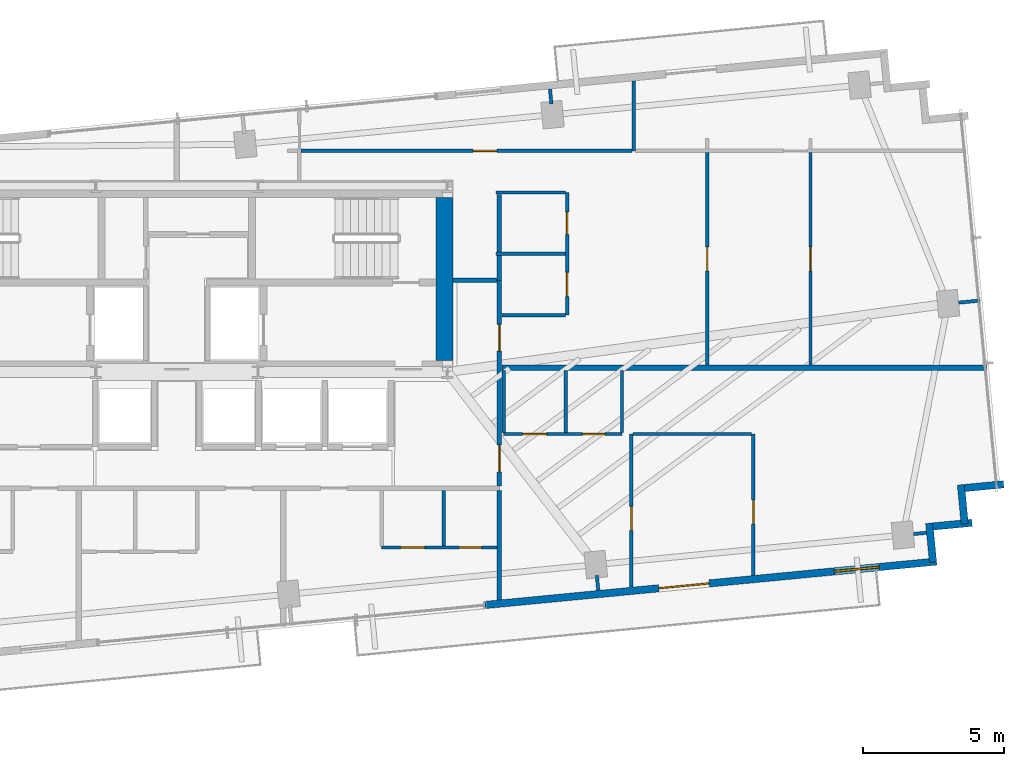
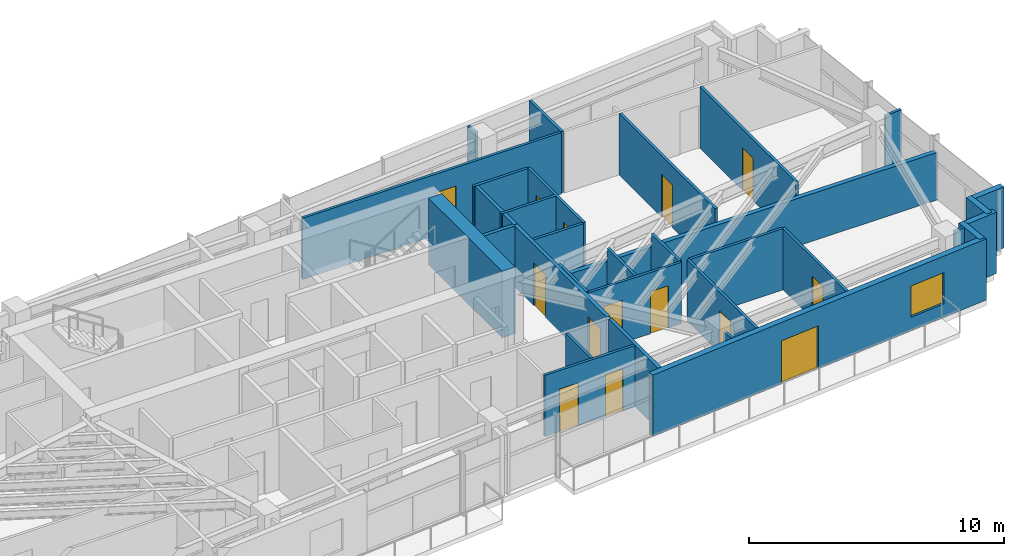
# One storey, part 15 of 18: 33 walls, 14 doors, 1 window, 15 openings.
"""IFC4 building model written with IfcOpenShell, lengths in metres."""

from ifc_helpers import new_model, si_unit, direction, frame, frame_2d, origin, place, context, subcontext, project, spatial, rectangle, extrude, source, transform, mapped, material, layer, layer_set, type_object, type_shapes, element, fill, save


model = new_model("IFC4")

# Units and contexts
model_context = context("Model", 3, precision=1e-05, world=origin(), true_north=direction((0.0, 1.0)))
body_context = subcontext(model_context, "Body", "Model", "MODEL_VIEW")
ifc_project = project(units=[si_unit("LENGTHUNIT", "METRE"), si_unit("AREAUNIT", "SQUARE_METRE"), si_unit("VOLUMEUNIT", "CUBIC_METRE"), si_unit("PLANEANGLEUNIT", "RADIAN"), si_unit("MASSUNIT", "GRAM", prefix="KILO")], contexts=[model_context])

# Site, building, storey
site_placement = place(None, origin())
site = spatial("IfcSite", under=ifc_project, at=site_placement, CompositionType="ELEMENT")
building_placement = place(site_placement, origin())
building = spatial("IfcBuilding", under=site, at=building_placement, Name="Astriad Promenade Condominiums", CompositionType="ELEMENT")
storey_placement = place(building_placement, frame((0.0, 0.0, 185.800048828125)))
storey = spatial("IfcBuildingStorey", under=building, at=storey_placement, Name="L53", CompositionType="ELEMENT", Elevation=185.800048828125)

# Walls
ifc_material_1 = material(Name="Concrete C50/60", Category="concrete")
ifc_layer_1 = layer(ifc_material_1, 0.60009765625)
ifc_layer_set_1 = layer_set([ifc_layer_1], Name="Concrete C50/60")
wall_type_1 = type_object("IfcWallType", Name="CW-SHEAR-600", PredefinedType="SHEAR", material=ifc_layer_set_1)
wall_1_placement = place(storey_placement, frame((45.5, 17.802001953125, 0.0), z_axis=(0.0, 0.0, 1.0), x_axis=(0.0, 1.0, 0.0)))
element("IfcWall", 1, at=wall_1_placement, inside=storey, type_object=wall_type_1, Name="CW-CORE-E-L53", PredefinedType="SHEAR", context=body_context, shape_type="SweptSolid", body=[
    extrude(rectangle(XDim=5.7958984375, YDim=0.60009765625, at=frame_2d((2.89794921875, 0.0))), origin(), (0.0, 0.0, 1.0), 3.199951171875),
])
ifc_material_2 = material(Name="Fire-Rated Gypsum Partition")
ifc_layer_2 = layer(ifc_material_2, 0.159912109375)
ifc_layer_set_2 = layer_set([ifc_layer_2], Name="Fire-Rated Gypsum Partition")
wall_type_2 = type_object("IfcWallType", Name="WALL-CORR-160", PredefinedType="PARTITIONING", material=ifc_layer_set_2)
wall_2_placement = place(storey_placement, frame((47.449951171875, 9.315185546875, 0.0), z_axis=(0.0, 0.0, 1.0), x_axis=(0.0, 1.0, 0.0)))
element("IfcWall", 2, at=wall_2_placement, inside=storey, type_object=wall_type_2, Name="PT-COR-E-L53", PredefinedType="PARTITIONING", context=body_context, shape_type="SweptSolid", body=[
    extrude(rectangle(XDim=3.8828125, YDim=0.159912109375, at=frame_2d((1.94140625, 0.0))), origin(), (0.0, 0.0, 1.0), 2.93994140625),
])

# Wall, openings, doors
wall_3_placement = place(storey_placement, frame((47.449951171875, 13.362060546875, 0.0), z_axis=(0.0, 0.0, 1.0), x_axis=(0.0, 1.0, 0.0)))
wall_3 = element("IfcWall", 3, at=wall_3_placement, inside=storey, type_object=wall_type_2, Name="PT-COR-E-L53-S2", PredefinedType="PARTITIONING", context=body_context, shape_type="SweptSolid", body=[
    extrude(rectangle(XDim=7.287841796875, YDim=0.159912109375, at=frame_2d((3.64404296875, 0.0))), origin(), (0.0, 0.0, 1.0), 2.93994140625),
])
opening_1_placement = place(wall_3_placement, frame((0.492919921875, 0.0, 0.0)))
opening_1 = element("IfcOpeningElement", 4, at=opening_1_placement, cuts=wall_3, Name="Opening FD60-APT-095", PredefinedType="OPENING", context=body_context, shape_type="SweptSolid", body=[
    extrude(rectangle(XDim=0.949951171875, YDim=2.06005859375, at=frame_2d((0.47509765625, 1.030029296875))), frame((0.0, 0.08984375, 0.0), z_axis=(0.0, -1.0, 0.0), x_axis=(1.0, 0.0, 0.0)), (0.0, 0.0, 1.0), 0.179931640625),
])
opening_2_placement = place(wall_3_placement, frame((4.782958984375, 0.0, 0.0)))
opening_2 = element("IfcOpeningElement", 5, at=opening_2_placement, cuts=wall_3, Name="Opening FD60-APT-095", PredefinedType="OPENING", context=body_context, shape_type="SweptSolid", body=[
    extrude(rectangle(XDim=0.949951171875, YDim=2.06005859375, at=frame_2d((0.47509765625, 1.030029296875))), frame((0.0, 0.08984375, 0.0), z_axis=(0.0, -1.0, 0.0), x_axis=(1.0, 0.0, 0.0)), (0.0, 0.0, 1.0), 0.179931640625),
])
ifc_material_3 = material(Name="Solid-Core Acoustic Timber Residence Entry Door", Category="wood")
door_type_1 = type_object("IfcDoorType", Name="FD60-APT-095", OperationType="NOTDEFINED", PredefinedType="DOOR", material=ifc_material_3)
shared_shape_1 = source(origin(), body_context, "Body", "SweptSolid", [
    extrude(rectangle(XDim=0.949951171875, YDim=2.06005859375, at=frame_2d((0.47509765625, 1.030029296875))), frame((0.0, 0.02490234375, 0.0), z_axis=(0.0, -1.0, 0.0), x_axis=(1.0, 0.0, 0.0)), (0.0, 0.0, 1.0), 0.050048828125),
])
type_shapes(door_type_1, [shared_shape_1])
door_1_placement = place(opening_1_placement, origin())
door_1 = element("IfcDoor", 6, at=door_1_placement, inside=storey, type_object=door_type_1, Name="D-ENT-L53-E1", OperationType="SINGLE_SWING_RIGHT", OverallHeight=2.06005859375, OverallWidth=0.949951171875, PredefinedType="DOOR", context=body_context, shape_type="MappedRepresentation", body=[
    mapped(shared_shape_1, transform((0.0, 0.0, 0.0), scale=1.0)),
])
fill(opening_1, door_1)
door_2_placement = place(opening_2_placement, origin())
door_2 = element("IfcDoor", 7, at=door_2_placement, inside=storey, type_object=door_type_1, Name="D-ENT-L53-E2", OperationType="SINGLE_SWING_LEFT", OverallHeight=2.06005859375, OverallWidth=0.949951171875, PredefinedType="DOOR", context=body_context, shape_type="MappedRepresentation", body=[
    mapped(shared_shape_1, transform((0.0, 0.0, 0.0), scale=1.0)),
])
fill(opening_2, door_2)

# Walls
wall_4_placement = place(storey_placement, frame((45.802001953125, 20.64990234375, 0.0), z_axis=(0.0, 0.0, 1.0), x_axis=(1.0, 0.0, 0.0)))
element("IfcWall", 8, at=wall_4_placement, inside=storey, type_object=wall_type_2, Name="PT-Z3E-N-L53", PredefinedType="PARTITIONING", context=body_context, shape_type="SweptSolid", body=[
    extrude(rectangle(XDim=1.56591796875, YDim=0.159912109375, at=frame_2d((0.782958984375, 0.0))), origin(), (0.0, 0.0, 1.0), 2.93994140625),
])
wall_5_placement = place(storey_placement, frame((47.449951171875, 20.64990234375, 0.0), z_axis=(0.0, 0.0, 1.0), x_axis=(0.0, 1.0, 0.0)))
element("IfcWall", 9, at=wall_5_placement, inside=storey, type_object=wall_type_2, Name="PT-L53-E2-PBK", PredefinedType="PARTITIONING", context=body_context, shape_type="SweptSolid", body=[
    extrude(rectangle(XDim=0.883056640625, YDim=0.159912109375, at=frame_2d((0.44140625, 0.0))), origin(), (0.0, 0.0, 1.0), 2.93994140625),
])
wall_6_placement = place(storey_placement, frame((47.449951171875, 21.656982421875, 0.0), z_axis=(0.0, 0.0, 1.0), x_axis=(0.0, 1.0, 0.0)))
element("IfcWall", 10, at=wall_6_placement, inside=storey, type_object=wall_type_2, Name="PT-L53-E2-PBK-S2", PredefinedType="PARTITIONING", context=body_context, shape_type="SweptSolid", body=[
    extrude(rectangle(XDim=2.051025390625, YDim=0.159912109375, at=frame_2d((1.025390625, 0.0))), origin(), (0.0, 0.0, 1.0), 2.93994140625),
])
ifc_material_4 = material(Name="Acoustic Double-Stud Gypsum Partition")
ifc_layer_3 = layer(ifc_material_4, 0.199951171875)
ifc_layer_set_3 = layer_set([ifc_layer_3], Name="Acoustic Double-Stud Gypsum Partition")
wall_type_3 = type_object("IfcWallType", Name="WALL-DEMISING-200", PredefinedType="PARTITIONING", material=ifc_layer_set_3)
wall_7_placement = place(storey_placement, frame((47.531982421875, 17.550048828125, 0.0), z_axis=(0.0, 0.0, 1.0), x_axis=(1.0, 0.0, 0.0)))
element("IfcWall", 11, at=wall_7_placement, inside=storey, type_object=wall_type_3, Name="PT-DEM-EE-L53", PredefinedType="PARTITIONING", context=body_context, shape_type="SweptSolid", body=[
    extrude(rectangle(XDim=17.200927734375, YDim=0.199951171875, at=frame_2d((8.6005859375, 0.0))), origin(), (0.0, 0.0, 1.0), 2.28125),
])
ifc_material_5 = material(Name="Precast concrete C50/60", Category="concrete")
ifc_layer_4 = layer(ifc_material_5, 0.260009765625)
ifc_layer_set_4 = layer_set([ifc_layer_4], Name="Precast concrete C50/60")
wall_type_4 = type_object("IfcWallType", Name="WALL-EXT-TWR-260", PredefinedType="STANDARD", material=ifc_layer_set_4)
wall_8_placement = place(storey_placement, frame((65.341796875, 13.416748046875, 0.0), z_axis=(0.0, 0.0, 1.0), x_axis=(-0.99540774648, -0.095725744959, 0.0)))
element("IfcWall", 12, at=wall_8_placement, inside=storey, type_object=wall_type_4, Name="W-SER-L53-14", PredefinedType="STANDARD", context=body_context, shape_type="SweptSolid", body=[
    extrude(rectangle(XDim=1.39501953125, YDim=0.260009765625, at=frame_2d((0.697509765625, 0.0))), origin(), (0.0, 0.0, 1.0), 2.93994140625),
])
wall_9_placement = place(storey_placement, frame((63.826171875, 13.4013671875, 0.0), z_axis=(0.0, 0.0, 1.0), x_axis=(0.095915846097, -0.995389446633, 0.0)))
element("IfcWall", 13, at=wall_9_placement, inside=storey, type_object=wall_type_4, Name="W-SER-L53-15", PredefinedType="STANDARD", context=body_context, shape_type="SweptSolid", body=[
    extrude(rectangle(XDim=1.394775390625, YDim=0.260009765625, at=frame_2d((0.697265625, 0.0))), origin(), (0.0, 0.0, 1.0), 2.93994140625),
])
for number, where, z_axis, x_axis, name in (
    (14, (64.21728515625, 12.052734375, 0.0), (0.0, 0.0, 1.0), (-0.99540774648, -0.095725744959, 0.0), "W-SER-L53-16"),
    (15, (62.701904296875, 12.037353515625, 0.0), (0.0, 0.0, 1.0), (0.095725744959, -0.99540774648, 0.0), "W-SER-L53-17"),
):
    element("IfcWall", number, at=place(storey_placement, frame(where, z_axis=z_axis, x_axis=x_axis)), inside=storey, type_object=wall_type_4, Name=name, PredefinedType="STANDARD", context=body_context, shape_type="SweptSolid", body=[
        extrude(rectangle(XDim=1.39501953125, YDim=0.260009765625, at=frame_2d((0.697509765625, 0.0))), origin(), (0.0, 0.0, 1.0), 2.93994140625),
    ])

# Wall, openings, door, window
wall_10_placement = place(storey_placement, frame((62.96337890625, 10.67626953125, 0.0), z_axis=(0.0, 0.0, 1.0), x_axis=(-0.995395627913, -0.095851676732, 0.0)))
wall_10 = element("IfcWall", 16, at=wall_10_placement, inside=storey, type_object=wall_type_4, Name="W-EXT-L53-S1", PredefinedType="STANDARD", context=body_context, shape_type="SweptSolid", body=[
    extrude(rectangle(XDim=16.10009765625, YDim=0.260009765625, at=frame_2d((8.050048828125, 0.0))), origin(), (0.0, 0.0, 1.0), 2.93994140625),
])
opening_3_placement = place(wall_10_placement, frame((8.10107421875, 0.0, 0.0)))
opening_3 = element("IfcOpeningElement", 17, at=opening_3_placement, cuts=wall_10, Name="Opening BD-1822-SLD", PredefinedType="OPENING", context=body_context, shape_type="SweptSolid", body=[
    extrude(rectangle(XDim=1.800048828125, YDim=2.06005859375, at=frame_2d((0.89990234375, 1.030029296875))), frame((0.0, 0.139892578125, 0.0), z_axis=(0.0, -1.0, 0.0), x_axis=(1.0, 0.0, 0.0)), (0.0, 0.0, 1.0), 0.280029296875),
])
opening_4_placement = place(wall_10_placement, frame((2.050048828125, 0.0, 0.64990234375)))
opening_4 = element("IfcOpeningElement", 18, at=opening_4_placement, cuts=wall_10, Name="Opening WIN-TWR-1620", PredefinedType="OPENING", context=body_context, shape_type="SweptSolid", body=[
    extrude(rectangle(XDim=1.60009765625, YDim=1.5, at=frame_2d((0.800048828125, 0.75))), frame((0.0, 0.139892578125, 0.0), z_axis=(0.0, -1.0, 0.0), x_axis=(1.0, 0.0, 0.0)), (0.0, 0.0, 1.0), 0.280029296875),
])
ifc_material_6 = material(Name="Thermally Broken Aluminium Sliding Balcony Door", Category="aluminium")
door_type_2 = type_object("IfcDoorType", Name="BD-1822-SLD", OperationType="NOTDEFINED", PredefinedType="DOOR", material=ifc_material_6)
shared_shape_2 = source(origin(), body_context, "Body", "SweptSolid", [
    extrude(rectangle(XDim=1.800048828125, YDim=2.06005859375, at=frame_2d((0.89990234375, 1.030029296875))), frame((0.0, 0.02490234375, 0.0), z_axis=(0.0, -1.0, 0.0), x_axis=(1.0, 0.0, 0.0)), (0.0, 0.0, 1.0), 0.050048828125),
])
type_shapes(door_type_2, [shared_shape_2])
door_3_placement = place(opening_3_placement, origin())
door_3 = element("IfcDoor", 19, at=door_3_placement, inside=storey, type_object=door_type_2, Name="BD-L53-SE", OperationType="SLIDING_TO_RIGHT", OverallHeight=2.06005859375, OverallWidth=1.800048828125, PredefinedType="DOOR", context=body_context, shape_type="MappedRepresentation", body=[
    mapped(shared_shape_2, transform((0.0, 0.0, 0.0), scale=1.0)),
])
fill(opening_3, door_3)
ifc_material_7 = material(Name="Dark Tinted Triple-Glazed Aluminium Window", Category="aluminium")
window_type = type_object("IfcWindowType", Name="WIN-TWR-1620", PartitioningType="SINGLE_PANEL", PredefinedType="WINDOW", material=ifc_material_7)
shared_shape_3 = source(origin(), body_context, "Body", "SweptSolid", [
    extrude(rectangle(XDim=1.60009765625, YDim=1.5, at=frame_2d((0.800048828125, 0.75))), frame((0.0, 0.030029296875, 0.0), z_axis=(0.0, -1.0, 0.0), x_axis=(1.0, 0.0, 0.0)), (0.0, 0.0, 1.0), 0.06005859375),
])
type_shapes(window_type, [shared_shape_3])
window_placement = place(opening_4_placement, origin())
window = element("IfcWindow", 20, at=window_placement, inside=storey, type_object=window_type, Name="WIN-L53-SE", OverallHeight=1.5, OverallWidth=1.60009765625, PartitioningType="SINGLE_PANEL", PredefinedType="WINDOW", context=body_context, shape_type="MappedRepresentation", body=[
    mapped(shared_shape_3, transform((0.0, 0.0, 0.0), scale=1.0)),
])
fill(opening_4, window)

# Wall, openings, doors
ifc_material_8 = material(Name="Acoustic Metal-Stud Gypsum Partition")
ifc_layer_5 = layer(ifc_material_8, 0.1201171875)
ifc_layer_set_5 = layer_set([ifc_layer_5], Name="Acoustic Metal-Stud Gypsum Partition")
wall_type_5 = type_object("IfcWallType", Name="WALL-PART-120", PredefinedType="PARTITIONING", material=ifc_layer_set_5)
wall_11_placement = place(storey_placement, frame((43.27001953125, 11.172119140625, 0.0), z_axis=(0.0, 0.0, 1.0), x_axis=(1.0, 0.0, 0.0)))
wall_11 = element("IfcWall", 21, at=wall_11_placement, inside=storey, type_object=wall_type_5, Name="PT-L53-S3-PS", PredefinedType="PARTITIONING", context=body_context, shape_type="SweptSolid", body=[
    extrude(rectangle(XDim=4.097900390625, YDim=0.1201171875, at=frame_2d((2.048828125, 0.0))), origin(), (0.0, 0.0, 1.0), 2.93994140625),
])
opening_5_placement = place(wall_11_placement, frame((0.675048828125, 0.0, 0.0)))
opening_5 = element("IfcOpeningElement", 22, at=opening_5_placement, cuts=wall_11, Name="Opening D-INT-085", PredefinedType="OPENING", context=body_context, shape_type="SweptSolid", body=[
    extrude(rectangle(XDim=0.85009765625, YDim=2.050048828125, at=frame_2d((0.425048828125, 1.02490234375))), frame((0.0, 0.070068359375, 0.0), z_axis=(0.0, -1.0, 0.0), x_axis=(1.0, 0.0, 0.0)), (0.0, 0.0, 1.0), 0.14013671875),
])
opening_6_placement = place(wall_11_placement, frame((2.75, 0.0, 0.0)))
opening_6 = element("IfcOpeningElement", 23, at=opening_6_placement, cuts=wall_11, Name="Opening D-WET-080", PredefinedType="OPENING", context=body_context, shape_type="SweptSolid", body=[
    extrude(rectangle(XDim=0.800048828125, YDim=2.02001953125, at=frame_2d((0.39990234375, 1.010009765625))), frame((0.0, 0.070068359375, 0.0), z_axis=(0.0, -1.0, 0.0), x_axis=(1.0, 0.0, 0.0)), (0.0, 0.0, 1.0), 0.14013671875),
])
ifc_material_9 = material(Name="Moisture-Resistant Timber Bathroom Door", Category="wood")
door_type_3 = type_object("IfcDoorType", Name="D-WET-080", OperationType="NOTDEFINED", PredefinedType="DOOR", material=ifc_material_9)
shared_shape_4 = source(origin(), body_context, "Body", "SweptSolid", [
    extrude(rectangle(XDim=0.800048828125, YDim=2.02001953125, at=frame_2d((0.39990234375, 1.010009765625))), frame((0.0, 0.02490234375, 0.0), z_axis=(0.0, -1.0, 0.0), x_axis=(1.0, 0.0, 0.0)), (0.0, 0.0, 1.0), 0.050048828125),
])
type_shapes(door_type_3, [shared_shape_4])
door_4_placement = place(opening_6_placement, origin())
door_4 = element("IfcDoor", 24, at=door_4_placement, inside=storey, type_object=door_type_3, Name="D-BTH-L53-S3", OperationType="SINGLE_SWING_LEFT", OverallHeight=2.02001953125, OverallWidth=0.800048828125, PredefinedType="DOOR", context=body_context, shape_type="MappedRepresentation", body=[
    mapped(shared_shape_4, transform((0.0, 0.0, 0.0), scale=1.0)),
])
fill(opening_6, door_4)
ifc_material_10 = material(Name="Painted Solid-Core Timber Room Door", Category="wood")
door_type_4 = type_object("IfcDoorType", Name="D-INT-085", OperationType="NOTDEFINED", PredefinedType="DOOR", material=ifc_material_10)
shared_shape_5 = source(origin(), body_context, "Body", "SweptSolid", [
    extrude(rectangle(XDim=0.85009765625, YDim=2.050048828125, at=frame_2d((0.425048828125, 1.02490234375))), frame((0.0, 0.02490234375, 0.0), z_axis=(0.0, -1.0, 0.0), x_axis=(1.0, 0.0, 0.0)), (0.0, 0.0, 1.0), 0.050048828125),
])
type_shapes(door_type_4, [shared_shape_5])
door_5_placement = place(opening_5_placement, origin())
door_5 = element("IfcDoor", 25, at=door_5_placement, inside=storey, type_object=door_type_4, Name="D-KIT-L53-S3", OperationType="SINGLE_SWING_RIGHT", OverallHeight=2.050048828125, OverallWidth=0.85009765625, PredefinedType="DOOR", context=body_context, shape_type="MappedRepresentation", body=[
    mapped(shared_shape_5, transform((0.0, 0.0, 0.0), scale=1.0)),
])
fill(opening_5, door_5)

# Wall
wall_12_placement = place(storey_placement, frame((45.469970703125, 11.23388671875, 0.0), z_axis=(0.0, 0.0, 1.0), x_axis=(0.0, 1.0, 0.0)))
element("IfcWall", 26, at=wall_12_placement, inside=storey, type_object=wall_type_5, Name="PT-L53-S3-PB", PredefinedType="PARTITIONING", context=body_context, shape_type="SweptSolid", body=[
    extrude(rectangle(XDim=1.964111328125, YDim=0.1201171875, at=frame_2d((0.98193359375, 0.0))), origin(), (0.0, 0.0, 1.0), 2.93994140625),
])

# Wall, openings, doors
wall_13_placement = place(storey_placement, frame((47.60009765625, 15.199951171875, 0.0), z_axis=(0.0, 0.0, 1.0), x_axis=(1.0, 0.0, 0.0)))
wall_13 = element("IfcWall", 27, at=wall_13_placement, inside=storey, type_object=wall_type_5, Name="PT-L53-E1-PH", PredefinedType="PARTITIONING", context=body_context, shape_type="SweptSolid", body=[
    extrude(rectangle(XDim=4.199951171875, YDim=0.1201171875, at=frame_2d((2.10009765625, 0.0))), origin(), (0.0, 0.0, 1.0), 2.93994140625),
])
opening_7_placement = place(wall_13_placement, frame((0.675048828125, 0.0, 0.0)))
opening_7 = element("IfcOpeningElement", 28, at=opening_7_placement, cuts=wall_13, Name="Opening D-INT-085", PredefinedType="OPENING", context=body_context, shape_type="SweptSolid", body=[
    extrude(rectangle(XDim=0.85009765625, YDim=2.050048828125, at=frame_2d((0.425048828125, 1.02490234375))), frame((0.0, 0.070068359375, 0.0), z_axis=(0.0, -1.0, 0.0), x_axis=(1.0, 0.0, 0.0)), (0.0, 0.0, 1.0), 0.14013671875),
])
opening_8_placement = place(wall_13_placement, frame((2.800048828125, 0.0, 0.0)))
opening_8 = element("IfcOpeningElement", 29, at=opening_8_placement, cuts=wall_13, Name="Opening D-WET-080", PredefinedType="OPENING", context=body_context, shape_type="SweptSolid", body=[
    extrude(rectangle(XDim=0.800048828125, YDim=2.02001953125, at=frame_2d((0.39990234375, 1.010009765625))), frame((0.0, 0.070068359375, 0.0), z_axis=(0.0, -1.0, 0.0), x_axis=(1.0, 0.0, 0.0)), (0.0, 0.0, 1.0), 0.14013671875),
])
door_6_placement = place(opening_8_placement, origin())
door_6 = element("IfcDoor", 30, at=door_6_placement, inside=storey, type_object=door_type_3, Name="D-BTH-L53-E1", OperationType="SINGLE_SWING_RIGHT", OverallHeight=2.02001953125, OverallWidth=0.800048828125, PredefinedType="DOOR", context=body_context, shape_type="MappedRepresentation", body=[
    mapped(shared_shape_4, transform((0.0, 0.0, 0.0), scale=1.0)),
])
fill(opening_8, door_6)
door_7_placement = place(opening_7_placement, origin())
door_7 = element("IfcDoor", 31, at=door_7_placement, inside=storey, type_object=door_type_4, Name="D-KIT-L53-E1", OperationType="SINGLE_SWING_LEFT", OverallHeight=2.050048828125, OverallWidth=0.85009765625, PredefinedType="DOOR", context=body_context, shape_type="MappedRepresentation", body=[
    mapped(shared_shape_5, transform((0.0, 0.0, 0.0), scale=1.0)),
])
fill(opening_7, door_7)

# Walls
for number, where, z_axis, x_axis, name in (
    (32, (47.60009765625, 15.261962890625, 0.0), (0.0, 0.0, 1.0), (0.0, 1.0, 0.0), "PT-L53-E1-PK1"),
    (33, (49.800048828125, 15.261962890625, 0.0), (0.0, 0.0, 1.0), (0.0, 1.0, 0.0), "PT-L53-E1-PK2"),
    (34, (51.800048828125, 15.261962890625, 0.0), (0.0, 0.0, 1.0), (0.0, 1.0, 0.0), "PT-L53-E1-PK3"),
):
    element("IfcWall", number, at=place(storey_placement, frame(where, z_axis=z_axis, x_axis=x_axis)), inside=storey, type_object=wall_type_5, Name=name, PredefinedType="PARTITIONING", context=body_context, shape_type="SweptSolid", body=[
        extrude(rectangle(XDim=2.18603515625, YDim=0.1201171875, at=frame_2d((1.093017578125, 0.0))), origin(), (0.0, 0.0, 1.0), 2.93994140625),
    ])

# Wall, opening, door
wall_14_placement = place(storey_placement, frame((52.1298828125, 9.765625, 0.0), z_axis=(0.0, 0.0, 1.0), x_axis=(0.0, 1.0, 0.0)))
wall_14 = element("IfcWall", 35, at=wall_14_placement, inside=storey, type_object=wall_type_5, Name="PT-L53-E1-CAP1", PredefinedType="PARTITIONING", context=body_context, shape_type="SweptSolid", body=[
    extrude(rectangle(XDim=5.434326171875, YDim=0.1201171875, at=frame_2d((2.71728515625, 0.0))), origin(), (0.0, 0.0, 1.0), 2.93994140625),
])
opening_9_placement = place(wall_14_placement, frame((2.019287109375, 0.0, 0.0)))
opening_9 = element("IfcOpeningElement", 36, at=opening_9_placement, cuts=wall_14, Name="Opening D-INT-085", PredefinedType="OPENING", context=body_context, shape_type="SweptSolid", body=[
    extrude(rectangle(XDim=0.85009765625, YDim=2.050048828125, at=frame_2d((0.425048828125, 1.02490234375))), frame((0.0, 0.070068359375, 0.0), z_axis=(0.0, -1.0, 0.0), x_axis=(1.0, 0.0, 0.0)), (0.0, 0.0, 1.0), 0.14013671875),
])
door_8_placement = place(opening_9_placement, origin())
door_8 = element("IfcDoor", 37, at=door_8_placement, inside=storey, type_object=door_type_4, Name="D-CAP1-L53-E1", OperationType="SINGLE_SWING_LEFT", OverallHeight=2.050048828125, OverallWidth=0.85009765625, PredefinedType="DOOR", context=body_context, shape_type="MappedRepresentation", body=[
    mapped(shared_shape_5, transform((0.0, 0.0, 0.0), scale=1.0)),
])
fill(opening_9, door_8)

wall_15_placement = place(storey_placement, frame((56.4599609375, 10.1826171875, 0.0), z_axis=(0.0, 0.0, 1.0), x_axis=(0.0, 1.0, 0.0)))
wall_15 = element("IfcWall", 38, at=wall_15_placement, inside=storey, type_object=wall_type_5, Name="PT-L53-E1-CAP2", PredefinedType="PARTITIONING", context=body_context, shape_type="SweptSolid", body=[
    extrude(rectangle(XDim=5.017333984375, YDim=0.1201171875, at=frame_2d((2.5087890625, 0.0))), origin(), (0.0, 0.0, 1.0), 2.93994140625),
])
opening_10_placement = place(wall_15_placement, frame((1.826416015625, 0.0, 0.0)))
opening_10 = element("IfcOpeningElement", 39, at=opening_10_placement, cuts=wall_15, Name="Opening D-INT-085", PredefinedType="OPENING", context=body_context, shape_type="SweptSolid", body=[
    extrude(rectangle(XDim=0.85009765625, YDim=2.050048828125, at=frame_2d((0.425048828125, 1.02490234375))), frame((0.0, 0.070068359375, 0.0), z_axis=(0.0, -1.0, 0.0), x_axis=(1.0, 0.0, 0.0)), (0.0, 0.0, 1.0), 0.14013671875),
])
door_9_placement = place(opening_10_placement, origin())
door_9 = element("IfcDoor", 40, at=door_9_placement, inside=storey, type_object=door_type_4, Name="D-CAP2-L53-E1", OperationType="SINGLE_SWING_RIGHT", OverallHeight=2.050048828125, OverallWidth=0.85009765625, PredefinedType="DOOR", context=body_context, shape_type="MappedRepresentation", body=[
    mapped(shared_shape_5, transform((0.0, 0.0, 0.0), scale=1.0)),
])
fill(opening_10, door_9)

# Wall
wall_16_placement = place(storey_placement, frame((52.19189453125, 15.199951171875, 0.0), z_axis=(0.0, 0.0, 1.0), x_axis=(1.0, 0.0, 0.0)))
element("IfcWall", 41, at=wall_16_placement, inside=storey, type_object=wall_type_5, Name="PT-L53-E1-CAP2H", PredefinedType="PARTITIONING", context=body_context, shape_type="SweptSolid", body=[
    extrude(rectangle(XDim=4.2060546875, YDim=0.1201171875, at=frame_2d((2.10302734375, 0.0))), origin(), (0.0, 0.0, 1.0), 2.93994140625),
])

# Wall, openings, doors
wall_17_placement = place(storey_placement, frame((49.85009765625, 19.419921875, 0.0), z_axis=(0.0, 0.0, 1.0), x_axis=(0.0, 1.0, 0.0)))
wall_17 = element("IfcWall", 42, at=wall_17_placement, inside=storey, type_object=wall_type_5, Name="PT-L53-E2-PV", PredefinedType="PARTITIONING", context=body_context, shape_type="SweptSolid", body=[
    extrude(rectangle(XDim=4.35009765625, YDim=0.1201171875, at=frame_2d((2.175048828125, 0.0))), origin(), (0.0, 0.0, 1.0), 2.93994140625),
])
opening_11_placement = place(wall_17_placement, frame((0.6630859375, 0.0, 0.0)))
opening_11 = element("IfcOpeningElement", 43, at=opening_11_placement, cuts=wall_17, Name="Opening D-INT-085", PredefinedType="OPENING", context=body_context, shape_type="SweptSolid", body=[
    extrude(rectangle(XDim=0.85009765625, YDim=2.050048828125, at=frame_2d((0.425048828125, 1.02490234375))), frame((0.0, 0.070068359375, 0.0), z_axis=(0.0, -1.0, 0.0), x_axis=(1.0, 0.0, 0.0)), (0.0, 0.0, 1.0), 0.14013671875),
])
opening_12_placement = place(wall_17_placement, frame((2.862060546875, 0.0, 0.0)))
opening_12 = element("IfcOpeningElement", 44, at=opening_12_placement, cuts=wall_17, Name="Opening D-WET-080", PredefinedType="OPENING", context=body_context, shape_type="SweptSolid", body=[
    extrude(rectangle(XDim=0.800048828125, YDim=2.02001953125, at=frame_2d((0.39990234375, 1.010009765625))), frame((0.0, 0.070068359375, 0.0), z_axis=(0.0, -1.0, 0.0), x_axis=(1.0, 0.0, 0.0)), (0.0, 0.0, 1.0), 0.14013671875),
])
door_10_placement = place(opening_12_placement, origin())
door_10 = element("IfcDoor", 45, at=door_10_placement, inside=storey, type_object=door_type_3, Name="D-BTH-L53-E2", OperationType="SINGLE_SWING_LEFT", OverallHeight=2.02001953125, OverallWidth=0.800048828125, PredefinedType="DOOR", context=body_context, shape_type="MappedRepresentation", body=[
    mapped(shared_shape_4, transform((0.0, 0.0, 0.0), scale=1.0)),
])
fill(opening_12, door_10)
door_11_placement = place(opening_11_placement, origin())
door_11 = element("IfcDoor", 46, at=door_11_placement, inside=storey, type_object=door_type_4, Name="D-KIT-L53-E2", OperationType="SINGLE_SWING_RIGHT", OverallHeight=2.050048828125, OverallWidth=0.85009765625, PredefinedType="DOOR", context=body_context, shape_type="MappedRepresentation", body=[
    mapped(shared_shape_5, transform((0.0, 0.0, 0.0), scale=1.0)),
])
fill(opening_11, door_11)

# Walls
wall_18_placement = place(storey_placement, frame((47.330078125, 21.594970703125, 0.0), z_axis=(0.0, 0.0, 1.0), x_axis=(1.0, 0.0, 0.0)))
element("IfcWall", 47, at=wall_18_placement, inside=storey, type_object=wall_type_5, Name="PT-L53-E2-PM", PredefinedType="PARTITIONING", context=body_context, shape_type="SweptSolid", body=[
    extrude(rectangle(XDim=2.4580078125, YDim=0.1201171875, at=frame_2d((1.22900390625, 0.0))), origin(), (0.0, 0.0, 1.0), 2.93994140625),
])
wall_19_placement = place(storey_placement, frame((47.531982421875, 19.419921875, 0.0), z_axis=(0.0, 0.0, 1.0), x_axis=(1.0, 0.0, 0.0)))
element("IfcWall", 48, at=wall_19_placement, inside=storey, type_object=wall_type_5, Name="PT-L53-E2-PS", PredefinedType="PARTITIONING", context=body_context, shape_type="SweptSolid", body=[
    extrude(rectangle(XDim=2.256103515625, YDim=0.1201171875, at=frame_2d((1.1279296875, 0.0))), origin(), (0.0, 0.0, 1.0), 2.93994140625),
])
wall_20_placement = place(storey_placement, frame((47.330078125, 23.77001953125, 0.0), z_axis=(0.0, 0.0, 1.0), x_axis=(1.0, 0.0, 0.0)))
element("IfcWall", 49, at=wall_20_placement, inside=storey, type_object=wall_type_5, Name="PT-L53-E2-PN", PredefinedType="PARTITIONING", context=body_context, shape_type="SweptSolid", body=[
    extrude(rectangle(XDim=2.4580078125, YDim=0.1201171875, at=frame_2d((1.22900390625, 0.0))), origin(), (0.0, 0.0, 1.0), 2.93994140625),
])
wall_21_placement = place(storey_placement, frame((52.218017578125, 25.2470703125, 0.0), z_axis=(0.0, 0.0, 1.0), x_axis=(0.0, 1.0, 0.0)))
element("IfcWall", 50, at=wall_21_placement, inside=storey, type_object=wall_type_5, Name="PT-L53-E2-B1M", PredefinedType="PARTITIONING", context=body_context, shape_type="SweptSolid", body=[
    extrude(rectangle(XDim=2.48583984375, YDim=0.1201171875, at=frame_2d((1.242919921875, 0.0))), origin(), (0.0, 0.0, 1.0), 2.93994140625),
])

# Wall, opening, door
wall_22_placement = place(storey_placement, frame((40.412109375, 25.2470703125, 0.0), z_axis=(0.0, 0.0, 1.0), x_axis=(1.0, 0.0, 0.0)))
wall_22 = element("IfcWall", 51, at=wall_22_placement, inside=storey, type_object=wall_type_5, Name="PT-L53-E2-B1-S2", PredefinedType="PARTITIONING", context=body_context, shape_type="SweptSolid", body=[
    extrude(rectangle(XDim=11.743896484375, YDim=0.1201171875, at=frame_2d((5.8720703125, 0.0))), origin(), (0.0, 0.0, 1.0), 2.93994140625),
])
opening_13_placement = place(wall_22_placement, frame((6.10009765625, 0.0, 0.0)))
opening_13 = element("IfcOpeningElement", 52, at=opening_13_placement, cuts=wall_22, Name="Opening D-INT-085", PredefinedType="OPENING", context=body_context, shape_type="SweptSolid", body=[
    extrude(rectangle(XDim=0.85009765625, YDim=2.050048828125, at=frame_2d((0.425048828125, 1.02490234375))), frame((0.0, 0.070068359375, 0.0), z_axis=(0.0, -1.0, 0.0), x_axis=(1.0, 0.0, 0.0)), (0.0, 0.0, 1.0), 0.14013671875),
])
door_12_placement = place(opening_13_placement, origin())
door_12 = element("IfcDoor", 53, at=door_12_placement, inside=storey, type_object=door_type_4, Name="D-BD1-L53-E2", OperationType="SINGLE_SWING_LEFT", OverallHeight=2.050048828125, OverallWidth=0.85009765625, PredefinedType="DOOR", context=body_context, shape_type="MappedRepresentation", body=[
    mapped(shared_shape_5, transform((0.0, 0.0, 0.0), scale=1.0)),
])
fill(opening_13, door_12)

wall_23_placement = place(storey_placement, frame((58.488037109375, 17.652099609375, 0.0), z_axis=(0.0, 0.0, 1.0), x_axis=(0.0, 1.0, 0.0)))
wall_23 = element("IfcWall", 54, at=wall_23_placement, inside=storey, type_object=wall_type_5, Name="PT-L53-E2-WDV1", PredefinedType="PARTITIONING", context=body_context, shape_type="SweptSolid", body=[
    extrude(rectangle(XDim=7.532958984375, YDim=0.1201171875, at=frame_2d((3.7666015625, 0.0))), origin(), (0.0, 0.0, 1.0), 2.93994140625),
])
opening_14_placement = place(wall_23_placement, frame((3.342041015625, 0.0, 0.0)))
opening_14 = element("IfcOpeningElement", 55, at=opening_14_placement, cuts=wall_23, Name="Opening D-INT-085", PredefinedType="OPENING", context=body_context, shape_type="SweptSolid", body=[
    extrude(rectangle(XDim=0.85009765625, YDim=2.050048828125, at=frame_2d((0.425048828125, 1.02490234375))), frame((0.0, 0.070068359375, 0.0), z_axis=(0.0, -1.0, 0.0), x_axis=(1.0, 0.0, 0.0)), (0.0, 0.0, 1.0), 0.14013671875),
])
door_13_placement = place(opening_14_placement, origin())
door_13 = element("IfcDoor", 56, at=door_13_placement, inside=storey, type_object=door_type_4, Name="D-WDV1-L53-E2", OperationType="SINGLE_SWING_LEFT", OverallHeight=2.050048828125, OverallWidth=0.85009765625, PredefinedType="DOOR", context=body_context, shape_type="MappedRepresentation", body=[
    mapped(shared_shape_5, transform((0.0, 0.0, 0.0), scale=1.0)),
])
fill(opening_14, door_13)

wall_24_placement = place(storey_placement, frame((54.824951171875, 17.652099609375, 0.0), z_axis=(0.0, 0.0, 1.0), x_axis=(0.0, 1.0, 0.0)))
wall_24 = element("IfcWall", 57, at=wall_24_placement, inside=storey, type_object=wall_type_5, Name="PT-L53-E2-WDV2", PredefinedType="PARTITIONING", context=body_context, shape_type="SweptSolid", body=[
    extrude(rectangle(XDim=7.532958984375, YDim=0.1201171875, at=frame_2d((3.7666015625, 0.0))), origin(), (0.0, 0.0, 1.0), 2.93994140625),
])
opening_15_placement = place(wall_24_placement, frame((3.342041015625, 0.0, 0.0)))
opening_15 = element("IfcOpeningElement", 58, at=opening_15_placement, cuts=wall_24, Name="Opening D-INT-085", PredefinedType="OPENING", context=body_context, shape_type="SweptSolid", body=[
    extrude(rectangle(XDim=0.85009765625, YDim=2.050048828125, at=frame_2d((0.425048828125, 1.02490234375))), frame((0.0, 0.070068359375, 0.0), z_axis=(0.0, -1.0, 0.0), x_axis=(1.0, 0.0, 0.0)), (0.0, 0.0, 1.0), 0.14013671875),
])
door_14_placement = place(opening_15_placement, origin())
door_14 = element("IfcDoor", 59, at=door_14_placement, inside=storey, type_object=door_type_4, Name="D-WDV2-L53-E2", OperationType="SINGLE_SWING_RIGHT", OverallHeight=2.050048828125, OverallWidth=0.85009765625, PredefinedType="DOOR", context=body_context, shape_type="MappedRepresentation", body=[
    mapped(shared_shape_5, transform((0.0, 0.0, 0.0), scale=1.0)),
])
fill(opening_15, door_14)

# Walls
wall_25_placement = place(storey_placement, frame((50.90478515625, 10.18798828125, 0.0), z_axis=(0.0, 0.0, 1.0), x_axis=(0.095772948675, -0.995403205893, 0.0)))
element("IfcWall", 60, at=wall_25_placement, inside=storey, type_object=wall_type_5, Name="PT-PIL-L53-PC04-11", PredefinedType="PARTITIONING", context=body_context, shape_type="SweptSolid", body=[
    extrude(rectangle(XDim=0.537841796875, YDim=0.1201171875, at=frame_2d((0.26904296875, 0.0))), origin(), (0.0, 0.0, 1.0), 2.93994140625),
])
wall_26_placement = place(storey_placement, frame((62.146240234375, 11.65234375, 0.0), z_axis=(0.0, 0.0, 1.0), x_axis=(0.995384576284, 0.09596637586, 0.0)))
element("IfcWall", 61, at=wall_26_placement, inside=storey, type_object=wall_type_5, Name="PT-PIL-L53-PC05-12", PredefinedType="PARTITIONING", context=body_context, shape_type="SweptSolid", body=[
    extrude(rectangle(XDim=0.4580078125, YDim=0.1201171875, at=frame_2d((0.22900390625, 0.0))), origin(), (0.0, 0.0, 1.0), 2.93994140625),
])
wall_27_placement = place(storey_placement, frame((49.29443359375, 26.910888671875, 0.0), z_axis=(0.0, 0.0, 1.0), x_axis=(-0.095772948675, 0.995403205893, 0.0)))
element("IfcWall", 62, at=wall_27_placement, inside=storey, type_object=wall_type_5, Name="PT-PIL-L53-PC09-16", PredefinedType="PARTITIONING", context=body_context, shape_type="SweptSolid", body=[
    extrude(rectangle(XDim=0.537841796875, YDim=0.1201171875, at=frame_2d((0.26904296875, 0.0))), origin(), (0.0, 0.0, 1.0), 2.93994140625),
])
wall_28_placement = place(storey_placement, frame((63.74658203125, 19.863525390625, 0.0), z_axis=(0.0, 0.0, 1.0), x_axis=(0.995405496295, 0.095749140702, 0.0)))
element("IfcWall", 63, at=wall_28_placement, inside=storey, type_object=wall_type_5, Name="PT-PIL-L53-PC12-19", PredefinedType="PARTITIONING", context=body_context, shape_type="SweptSolid", body=[
    extrude(rectangle(XDim=0.759765625, YDim=0.1201171875, at=frame_2d((0.3798828125, 0.0))), origin(), (0.0, 0.0, 1.0), 2.93994140625),
])

save(model, "model.ifc")
